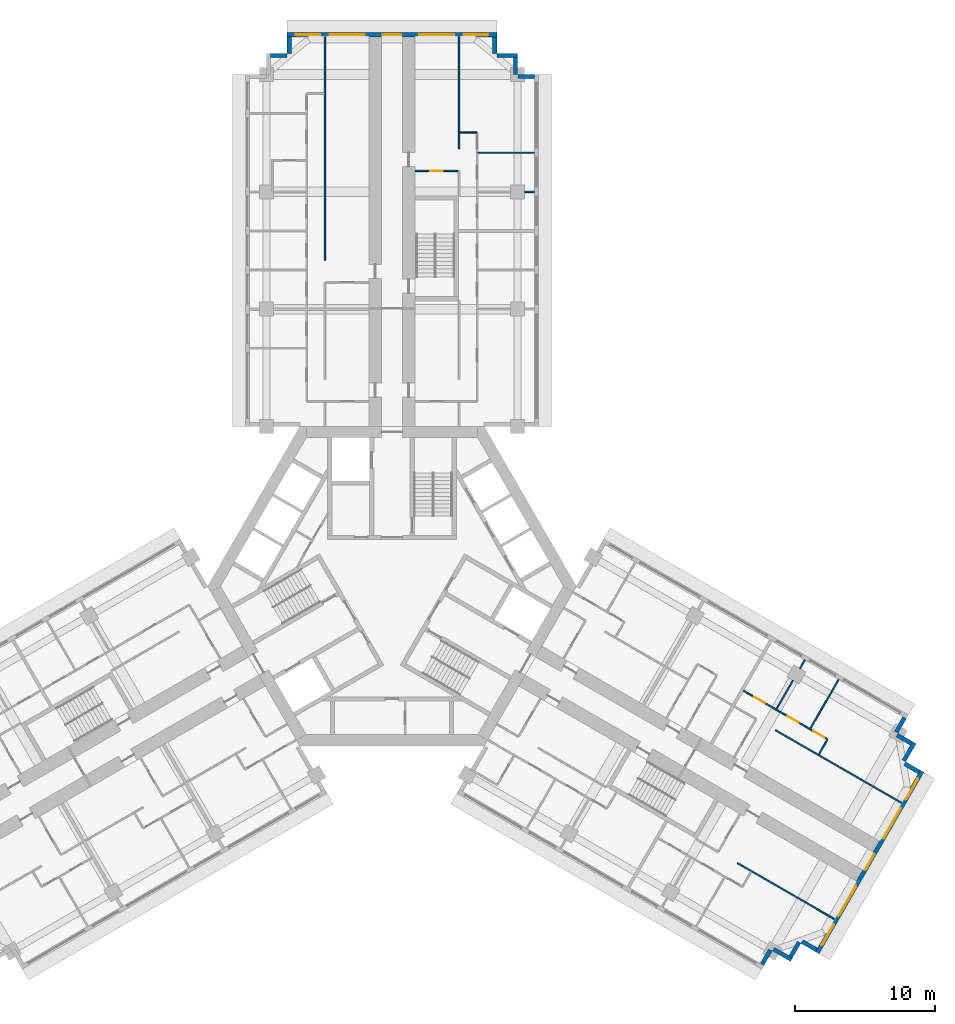
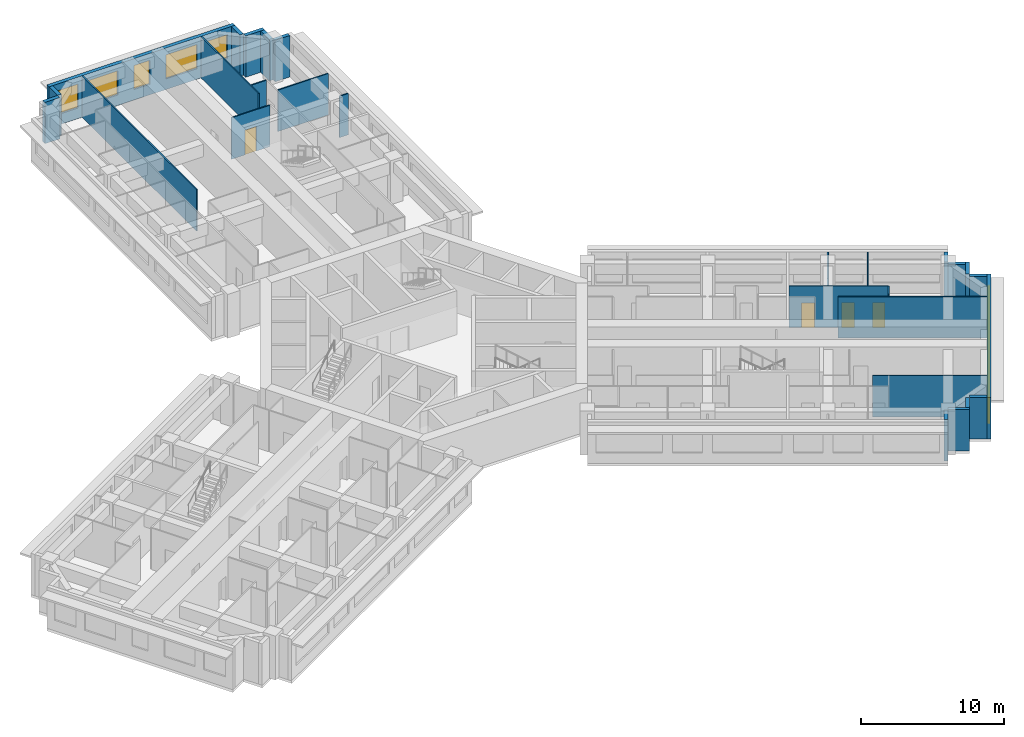
# One storey, part 10 of 12: 29 walls, 10 windows, 4 doors, 14 openings.
"""IFC4 building model written with IfcOpenShell, lengths in metres."""

import ifcopenshell
import ifcopenshell.guid

model = None  # the IFC model being written
_history = None  # IfcOwnerHistory: only IFC2X3 demands one
_inside = {}  # id of a spatial element -> (the spatial element, [elements in it])
_under = {}  # id of a project, library or spatial element -> (it, [spatial elements below it])
_declared = {}  # id of a project -> (the project, [libraries it declares])
_typed = {}  # id of a type object -> (the type object, [elements of that type])
_made_of = {}  # id of a material, layer set ... -> (it, [elements and type objects made of it])


def new_model(schema):
    """Start an empty IFC model of exactly this schema.

    Asked for "IFC4X3", IfcOpenShell would pick the latest addendum, in which some entities
    have other attributes; the version numbers below select the first issue.
    IFC2X3 requires an IfcOwnerHistory on every rooted entity: one is made here for all.
    """
    global model, _history
    if schema == "IFC4X3":
        model = ifcopenshell.file(schema_version=(4, 3, 0, 0))
    else:
        model = ifcopenshell.file(schema=schema)
    _inside.clear()
    _under.clear()
    _declared.clear()
    _typed.clear()
    _made_of.clear()
    _history = None
    if model.schema == "IFC2X3":
        org = make("IfcOrganization", Name="unknown")
        user = make(
            "IfcPersonAndOrganization",
            ThePerson=make("IfcPerson", FamilyName="unknown"),
            TheOrganization=org,
        )
        app = make(
            "IfcApplication",
            ApplicationDeveloper=org,
            Version="unknown",
            ApplicationFullName="unknown",
            ApplicationIdentifier="unknown",
        )
        _history = make(
            "IfcOwnerHistory",
            OwningUser=user,
            OwningApplication=app,
            ChangeAction="ADDED",
            CreationDate=0,
        )
    return model


def make(cls, **values):
    """One entity of the class cls with the attributes given. An attribute that is None is left unset."""
    return model.create_entity(
        cls, **{name: value for name, value in values.items() if value is not None}
    )


def rooted(cls, **values):
    """An entity with a GlobalId (a new one), such as an element, a storey or a relation."""
    return make(cls, GlobalId=ifcopenshell.guid.new(), OwnerHistory=_history, **values)


def si_unit(unit_type, name, prefix=None):
    """IfcSIUnit, for example si_unit("LENGTHUNIT", "METRE", prefix="MILLI")."""
    return make("IfcSIUnit", UnitType=unit_type, Prefix=prefix, Name=name)


def assignment(units):
    """IfcUnitAssignment: the units of a project."""
    return None if units is None else make("IfcUnitAssignment", Units=units)


def point(xyz):
    """IfcCartesianPoint."""
    return None if xyz is None else make("IfcCartesianPoint", Coordinates=xyz)


def direction(xyz):
    """IfcDirection."""
    return None if xyz is None else make("IfcDirection", DirectionRatios=xyz)


def frame(location, z_axis=None, x_axis=None):
    """IfcAxis2Placement3D, a coordinate frame: its origin and axes. An axis left out is left unset."""
    return make(
        "IfcAxis2Placement3D",
        Location=point(location),
        Axis=direction(z_axis),
        RefDirection=direction(x_axis),
    )


def frame_2d(location, x_axis=None):
    """IfcAxis2Placement2D, a coordinate frame in the plane: its origin and x axis."""
    return make(
        "IfcAxis2Placement2D", Location=point(location), RefDirection=direction(x_axis)
    )


def origin():
    """The frame at (0, 0, 0) with its axes left unset."""
    return frame((0.0, 0.0, 0.0))


def place(relative_to, where):
    """IfcLocalPlacement: puts the frame where relative to a parent placement (None: the world)."""
    return make(
        "IfcLocalPlacement", PlacementRelTo=relative_to, RelativePlacement=where
    )


def context(
    kind, dimensions, precision=None, world=None, true_north=None, identifier=None
):
    """IfcGeometricRepresentationContext, for example the 3D "Model" context."""
    return make(
        "IfcGeometricRepresentationContext",
        ContextIdentifier=identifier,
        ContextType=kind,
        CoordinateSpaceDimension=dimensions,
        Precision=precision,
        WorldCoordinateSystem=world,
        TrueNorth=true_north,
    )


def subcontext(parent, identifier, kind, view, scale=None):
    """IfcGeometricRepresentationSubContext, for example "Body" below "Model"."""
    return make(
        "IfcGeometricRepresentationSubContext",
        ContextIdentifier=identifier,
        ContextType=kind,
        ParentContext=parent,
        TargetScale=scale,
        TargetView=view,
    )


def project(units=None, contexts=None):
    """IfcProject with its units and contexts."""
    return rooted(
        "IfcProject",
        Name="project",
        RepresentationContexts=contexts,
        UnitsInContext=assignment(units),
    )


def spatial(cls, under=None, at=None, **own):
    """A site, building, storey or space (cls), placed at a placement, below another one or the project."""
    s = rooted(cls, ObjectPlacement=at, **own)
    if under is not None:
        _under.setdefault(under.id(), (under, []))[1].append(s)
    return s


def profile(cls, at=None, kind="AREA", **sizes):
    """A parametric profile (cls). Its sizes go by their IFC names, for example OverallWidth=200.0."""
    return make(cls, ProfileType=kind, Position=at, **sizes)


def rectangle(**sizes):
    """IfcRectangleProfileDef."""
    return profile("IfcRectangleProfileDef", **sizes)


def extrude(swept, where, along, depth):
    """IfcExtrudedAreaSolid: the profile swept, set in the frame where, extruded along a direction by depth."""
    return make(
        "IfcExtrudedAreaSolid",
        SweptArea=swept,
        Position=where,
        ExtrudedDirection=direction(along),
        Depth=depth,
    )


def shape(context_of_items, identifier, shape_type, items):
    """IfcShapeRepresentation: the items that make up one representation, for example the "Body"."""
    return make(
        "IfcShapeRepresentation",
        ContextOfItems=context_of_items,
        RepresentationIdentifier=identifier,
        RepresentationType=shape_type,
        Items=items,
    )


def material(Name=None, Category=None):
    """IfcMaterial."""
    return make("IfcMaterial", Name=Name, Category=Category)


def layer(
    of_material, thickness, ventilated=None, Name=None, Category=None, Priority=None
):
    """IfcMaterialLayer: one layer of a wall or slab, of a material (None: an air gap)."""
    return make(
        "IfcMaterialLayer",
        Material=of_material,
        LayerThickness=thickness,
        IsVentilated=ventilated,
        Name=Name,
        Category=Category,
        Priority=Priority,
    )


def layer_set(layers, Name=None):
    """IfcMaterialLayerSet."""
    return make("IfcMaterialLayerSet", MaterialLayers=layers, LayerSetName=Name)


def made_of(thing, what):
    """Note that an element or type object is made of a material, layer set ...; save() writes the relation."""
    if what is not None:
        _made_of.setdefault(what.id(), (what, []))[1].append(thing)
    return thing


def type_object(cls, material=None, **own):
    """A type object (cls), such as IfcWallType, which elements share."""
    return made_of(rooted(cls, **own), material)


def element(
    cls,
    number,
    at=None,
    inside=None,
    cuts=None,
    type_object=None,
    material=None,
    context=None,
    identifier="Body",
    shape_type=None,
    held_by="IfcProductDefinitionShape",
    body=None,
    shapes=None,
    **own,
):
    """One element of the class cls, such as IfcWall. Its Tag is "e" and its number.

    at: its placement. inside: the storey or other place that contains it. cuts: it is an
    opening in that element (IfcRelVoidsElement). A single representation is given by context,
    identifier, shape_type and body (its items); several are given by shapes. held_by: the class
    of the entity that holds the representations. save() writes the other relations.
    """
    e = rooted(cls, Tag="e%d" % number, ObjectPlacement=at, **own)
    if body is not None:
        shapes = [shape(context, identifier, shape_type, body)]
    if shapes is not None:
        e.Representation = make(held_by, Representations=shapes)
    if inside is not None:
        _inside.setdefault(inside.id(), (inside, []))[1].append(e)
    if cuts is not None:
        rooted(
            "IfcRelVoidsElement", RelatingBuildingElement=cuts, RelatedOpeningElement=e
        )
    if type_object is not None:
        _typed.setdefault(type_object.id(), (type_object, []))[1].append(e)
    return made_of(e, material)


def fill(opening, filler):
    """IfcRelFillsElement: the door or window that sits in an opening."""
    return rooted(
        "IfcRelFillsElement",
        RelatingOpeningElement=opening,
        RelatedBuildingElement=filler,
    )


def aggregate(whole, parts):
    """IfcRelAggregates: a whole, such as a stair, and the parts it consists of."""
    return rooted("IfcRelAggregates", RelatingObject=whole, RelatedObjects=parts)


def save(model, path):
    """Write the relations noted so far, then the file.

    IfcRelAggregates (storeys below a building ...), IfcRelContainedInSpatialStructure (elements
    in a storey), IfcRelDefinesByType, IfcRelAssociatesMaterial and IfcRelDeclares: one each for
    every whole, place, type object, material and project.
    """
    for whole, parts in _under.values():
        aggregate(whole, parts)
    for where, things in _inside.values():
        rooted(
            "IfcRelContainedInSpatialStructure",
            RelatedElements=things,
            RelatingStructure=where,
        )
    for kind, things in _typed.values():
        rooted("IfcRelDefinesByType", RelatedObjects=things, RelatingType=kind)
    for what, things in _made_of.values():
        rooted("IfcRelAssociatesMaterial", RelatedObjects=things, RelatingMaterial=what)
    for by, libraries in _declared.values():
        rooted("IfcRelDeclares", RelatingContext=by, RelatedDefinitions=libraries)
    model.write(path)


model = new_model("IFC4")

# Units and contexts
model_context = context("Model", 3, precision=1e-05, world=origin(), true_north=direction((0.0, 1.0)))
body_context = subcontext(model_context, "Body", "Model", "MODEL_VIEW")
ifc_project = project(units=[si_unit("LENGTHUNIT", "METRE"), si_unit("AREAUNIT", "SQUARE_METRE"), si_unit("VOLUMEUNIT", "CUBIC_METRE"), si_unit("PLANEANGLEUNIT", "RADIAN"), si_unit("MASSUNIT", "GRAM", prefix="KILO")], contexts=[model_context])

# Site, building, storey
site_placement = place(None, origin())
site = spatial("IfcSite", under=ifc_project, at=site_placement, CompositionType="ELEMENT")
building_placement = place(site_placement, origin())
building = spatial("IfcBuilding", under=site, at=building_placement, Name="Impinga Residences", CompositionType="ELEMENT")
storey_placement = place(building_placement, frame((0.0, 0.0, 173.5)))
storey = spatial("IfcBuildingStorey", under=building, at=storey_placement, Name="L43", CompositionType="ELEMENT", Elevation=173.5)

# Walls
ifc_material_1 = material(Name="Terracotta rainscreen on blockwork", Category="masonry")
ifc_layer_1 = layer(ifc_material_1, 0.300048828125)
ifc_layer_set_1 = layer_set([ifc_layer_1], Name="EW1 external wall, terracotta rainscreen on blockwork 300")
wall_type_1 = type_object("IfcWallType", Name="EW1 external wall, terracotta rainscreen on blockwork 300", PredefinedType="SOLIDWALL", material=ifc_layer_set_1)
wall_1_placement = place(storey_placement, frame((-8.699951171875, 37.9814453125, 0.0), z_axis=(0.0, 0.0, 1.0), x_axis=(1.0, 0.0, 0.0)))
element("IfcWall", 1, at=wall_1_placement, inside=storey, type_object=wall_type_1, Name="External wall EW1 L43", PredefinedType="SOLIDWALL", context=body_context, shape_type="SweptSolid", body=[
    extrude(rectangle(XDim=1.199951171875, YDim=0.300048828125, at=frame_2d((0.60009765625, 0.0))), origin(), (0.0, 0.0, 1.0), 3.530029296875),
])
wall_2_placement = place(storey_placement, frame((-7.35009765625, 38.136474609375, 0.0), z_axis=(0.0, 0.0, 1.0), x_axis=(0.0, 1.0, 0.0)))
element("IfcWall", 2, at=wall_2_placement, inside=storey, type_object=wall_type_1, Name="External wall EW1 L43", PredefinedType="SOLIDWALL", context=body_context, shape_type="SweptSolid", body=[
    extrude(rectangle(XDim=1.195068359375, YDim=0.300048828125, at=frame_2d((0.59765625, 0.0))), origin(), (0.0, 0.0, 1.0), 3.530029296875),
])

# Wall, openings, windows
wall_3_placement = place(storey_placement, frame((-7.5, 39.4814453125, 0.0), z_axis=(0.0, 0.0, 1.0), x_axis=(1.0, 0.0, 0.0)))
wall_3 = element("IfcWall", 3, at=wall_3_placement, inside=storey, type_object=wall_type_1, Name="External wall EW1 L43", PredefinedType="SOLIDWALL", context=body_context, shape_type="SweptSolid", body=[
    extrude(rectangle(XDim=15.0, YDim=0.300048828125, at=frame_2d((7.5, 0.0))), origin(), (0.0, 0.0, 1.0), 3.530029296875),
])
opening_1_placement = place(wall_3_placement, frame((0.60009765625, 0.0, 0.89990234375)))
opening_1 = element("IfcOpeningElement", 4, at=opening_1_placement, cuts=wall_3, Name="Opening W1", PredefinedType="OPENING", context=body_context, shape_type="SweptSolid", body=[
    extrude(rectangle(XDim=1.75, YDim=2.050048828125, at=frame_2d((0.875, 1.02490234375))), frame((0.0, 0.159912109375, 0.0), z_axis=(0.0, -1.0, 0.0), x_axis=(1.0, 0.0, 0.0)), (0.0, 0.0, 1.0), 0.320068359375),
])
opening_2_placement = place(wall_3_placement, frame((3.050048828125, 0.0, 0.89990234375)))
opening_2 = element("IfcOpeningElement", 5, at=opening_2_placement, cuts=wall_3, Name="Opening W2", PredefinedType="OPENING", context=body_context, shape_type="SweptSolid", body=[
    extrude(rectangle(XDim=2.5, YDim=2.050048828125, at=frame_2d((1.25, 1.02490234375))), frame((0.0, 0.159912109375, 0.0), z_axis=(0.0, -1.0, 0.0), x_axis=(1.0, 0.0, 0.0)), (0.0, 0.0, 1.0), 0.320068359375),
])
opening_3_placement = place(wall_3_placement, frame((6.85009765625, 0.0, 0.89990234375)))
opening_3 = element("IfcOpeningElement", 6, at=opening_3_placement, cuts=wall_3, Name="Opening WE1", PredefinedType="OPENING", context=body_context, shape_type="SweptSolid", body=[
    extrude(rectangle(XDim=1.300048828125, YDim=2.050048828125, at=frame_2d((0.64990234375, 1.02490234375))), frame((0.0, 0.159912109375, 0.0), z_axis=(0.0, -1.0, 0.0), x_axis=(1.0, 0.0, 0.0)), (0.0, 0.0, 1.0), 0.320068359375),
])
opening_4_placement = place(wall_3_placement, frame((9.449951171875, 0.0, 0.89990234375)))
opening_4 = element("IfcOpeningElement", 7, at=opening_4_placement, cuts=wall_3, Name="Opening W2", PredefinedType="OPENING", context=body_context, shape_type="SweptSolid", body=[
    extrude(rectangle(XDim=2.5, YDim=2.050048828125, at=frame_2d((1.25, 1.02490234375))), frame((0.0, 0.159912109375, 0.0), z_axis=(0.0, -1.0, 0.0), x_axis=(1.0, 0.0, 0.0)), (0.0, 0.0, 1.0), 0.320068359375),
])
opening_5_placement = place(wall_3_placement, frame((12.64990234375, 0.0, 0.89990234375)))
opening_5 = element("IfcOpeningElement", 8, at=opening_5_placement, cuts=wall_3, Name="Opening W1", PredefinedType="OPENING", context=body_context, shape_type="SweptSolid", body=[
    extrude(rectangle(XDim=1.75, YDim=2.050048828125, at=frame_2d((0.875, 1.02490234375))), frame((0.0, 0.159912109375, 0.0), z_axis=(0.0, -1.0, 0.0), x_axis=(1.0, 0.0, 0.0)), (0.0, 0.0, 1.0), 0.320068359375),
])
ifc_material_2 = material(Name="Aluminium window, clear double glazing", Category="aluminium")
window_type_1 = type_object("IfcWindowType", Name="W1 ribbon window 1750x2050", PartitioningType="SINGLE_PANEL", PredefinedType="WINDOW", material=ifc_material_2)
window_1_placement = place(opening_1_placement, origin())
window_1 = element("IfcWindow", 9, at=window_1_placement, inside=storey, type_object=window_type_1, Name="Window L43", OverallHeight=2.050048828125, OverallWidth=1.75, PartitioningType="SINGLE_PANEL", PredefinedType="WINDOW", context=body_context, shape_type="SweptSolid", body=[
    extrude(rectangle(XDim=1.75, YDim=2.050048828125, at=frame_2d((0.875, 1.02490234375))), frame((0.0, 0.030029296875, 0.0), z_axis=(0.0, -1.0, 0.0), x_axis=(1.0, 0.0, 0.0)), (0.0, 0.0, 1.0), 0.06005859375),
])
fill(opening_1, window_1)
window_2_placement = place(opening_5_placement, origin())
window_2 = element("IfcWindow", 10, at=window_2_placement, inside=storey, type_object=window_type_1, Name="Window L43", OverallHeight=2.050048828125, OverallWidth=1.75, PartitioningType="SINGLE_PANEL", PredefinedType="WINDOW", context=body_context, shape_type="SweptSolid", body=[
    extrude(rectangle(XDim=1.75, YDim=2.050048828125, at=frame_2d((0.875, 1.02490234375))), frame((0.0, 0.030029296875, 0.0), z_axis=(0.0, -1.0, 0.0), x_axis=(1.0, 0.0, 0.0)), (0.0, 0.0, 1.0), 0.06005859375),
])
fill(opening_5, window_2)
window_type_2 = type_object("IfcWindowType", Name="W2 ribbon window 2500x2050", PartitioningType="SINGLE_PANEL", PredefinedType="WINDOW", material=ifc_material_2)
window_3_placement = place(opening_2_placement, origin())
window_3 = element("IfcWindow", 11, at=window_3_placement, inside=storey, type_object=window_type_2, Name="Window L43", OverallHeight=2.050048828125, OverallWidth=2.5, PartitioningType="SINGLE_PANEL", PredefinedType="WINDOW", context=body_context, shape_type="SweptSolid", body=[
    extrude(rectangle(XDim=2.5, YDim=2.050048828125, at=frame_2d((1.25, 1.02490234375))), frame((0.0, 0.030029296875, 0.0), z_axis=(0.0, -1.0, 0.0), x_axis=(1.0, 0.0, 0.0)), (0.0, 0.0, 1.0), 0.06005859375),
])
fill(opening_2, window_3)
window_4_placement = place(opening_4_placement, origin())
window_4 = element("IfcWindow", 12, at=window_4_placement, inside=storey, type_object=window_type_2, Name="Window L43", OverallHeight=2.050048828125, OverallWidth=2.5, PartitioningType="SINGLE_PANEL", PredefinedType="WINDOW", context=body_context, shape_type="SweptSolid", body=[
    extrude(rectangle(XDim=2.5, YDim=2.050048828125, at=frame_2d((1.25, 1.02490234375))), frame((0.0, 0.030029296875, 0.0), z_axis=(0.0, -1.0, 0.0), x_axis=(1.0, 0.0, 0.0)), (0.0, 0.0, 1.0), 0.06005859375),
])
fill(opening_4, window_4)
window_type_3 = type_object("IfcWindowType", Name="WE1 corridor window 1300x2050", PartitioningType="SINGLE_PANEL", PredefinedType="WINDOW", material=ifc_material_2)
window_5_placement = place(opening_3_placement, origin())
window_5 = element("IfcWindow", 13, at=window_5_placement, inside=storey, type_object=window_type_3, Name="Window L43", OverallHeight=2.050048828125, OverallWidth=1.300048828125, PartitioningType="SINGLE_PANEL", PredefinedType="WINDOW", context=body_context, shape_type="SweptSolid", body=[
    extrude(rectangle(XDim=1.300048828125, YDim=2.050048828125, at=frame_2d((0.64990234375, 1.02490234375))), frame((0.0, 0.030029296875, 0.0), z_axis=(0.0, -1.0, 0.0), x_axis=(1.0, 0.0, 0.0)), (0.0, 0.0, 1.0), 0.06005859375),
])
fill(opening_3, window_5)

# Walls
wall_4_placement = place(storey_placement, frame((7.35009765625, 39.33154296875, 0.0), z_axis=(0.0, 0.0, 1.0), x_axis=(0.0, -1.0, 0.0)))
element("IfcWall", 14, at=wall_4_placement, inside=storey, type_object=wall_type_1, Name="External wall EW1 L43", PredefinedType="SOLIDWALL", context=body_context, shape_type="SweptSolid", body=[
    extrude(rectangle(XDim=1.195068359375, YDim=0.300048828125, at=frame_2d((0.59765625, 0.0))), origin(), (0.0, 0.0, 1.0), 3.530029296875),
])
wall_5_placement = place(storey_placement, frame((7.5, 37.9814453125, 0.0), z_axis=(0.0, 0.0, 1.0), x_axis=(1.0, 0.0, 0.0)))
element("IfcWall", 15, at=wall_5_placement, inside=storey, type_object=wall_type_1, Name="External wall EW1 L43", PredefinedType="SOLIDWALL", context=body_context, shape_type="SweptSolid", body=[
    extrude(rectangle(XDim=1.5, YDim=0.300048828125, at=frame_2d((0.75, 0.0))), origin(), (0.0, 0.0, 1.0), 3.530029296875),
])
wall_6_placement = place(storey_placement, frame((8.85009765625, 37.83154296875, 0.0), z_axis=(0.0, 0.0, 1.0), x_axis=(0.0, -1.0, 0.0)))
element("IfcWall", 16, at=wall_6_placement, inside=storey, type_object=wall_type_1, Name="External wall EW1 L43", PredefinedType="SOLIDWALL", context=body_context, shape_type="SweptSolid", body=[
    extrude(rectangle(XDim=1.199951171875, YDim=0.300048828125, at=frame_2d((0.60009765625, 0.0))), origin(), (0.0, 0.0, 1.0), 3.530029296875),
])
wall_7_placement = place(storey_placement, frame((9.0048828125, 36.4814453125, 0.0), z_axis=(0.0, 0.0, 1.0), x_axis=(1.0, 0.0, 0.0)))
element("IfcWall", 17, at=wall_7_placement, inside=storey, type_object=wall_type_1, Name="External wall EW1 L43", PredefinedType="SOLIDWALL", context=body_context, shape_type="SweptSolid", body=[
    extrude(rectangle(XDim=1.195068359375, YDim=0.300048828125, at=frame_2d((0.59765625, 0.0))), origin(), (0.0, 0.0, 1.0), 3.530029296875),
])
wall_8_placement = place(storey_placement, frame((36.69384765625, -9.4072265625, 0.0), z_axis=(0.0, 0.0, 1.0), x_axis=(-0.499880961361, -0.866094119867, 0.0)))
element("IfcWall", 18, at=wall_8_placement, inside=storey, type_object=wall_type_1, Name="External wall EW1 L43", PredefinedType="SOLIDWALL", context=body_context, shape_type="SweptSolid", body=[
    extrude(rectangle(XDim=1.199951171875, YDim=0.300048828125, at=frame_2d((0.60009765625, 0.0))), origin(), (0.0, 0.0, 1.0), 3.530029296875),
])
wall_9_placement = place(storey_placement, frame((36.153076171875, -10.654052734375, 0.0), z_axis=(0.0, 0.0, 1.0), x_axis=(0.866059708757, -0.499940577336, 0.0)))
element("IfcWall", 19, at=wall_9_placement, inside=storey, type_object=wall_type_1, Name="External wall EW1 L43", PredefinedType="SOLIDWALL", context=body_context, shape_type="SweptSolid", body=[
    extrude(rectangle(XDim=1.195068359375, YDim=0.300048828125, at=frame_2d((0.59765625, 0.0))), origin(), (0.0, 0.0, 1.0), 3.530029296875),
])
wall_10_placement = place(storey_placement, frame((37.39306640625, -11.196533203125, 0.0), z_axis=(0.0, 0.0, 1.0), x_axis=(-0.499990139034, -0.866031096941, 0.0)))
element("IfcWall", 20, at=wall_10_placement, inside=storey, type_object=wall_type_1, Name="External wall EW1 L43", PredefinedType="SOLIDWALL", context=body_context, shape_type="SweptSolid", body=[
    extrude(rectangle(XDim=1.5, YDim=0.300048828125, at=frame_2d((0.75, 0.0))), origin(), (0.0, 0.0, 1.0), 3.530029296875),
])
wall_11_placement = place(storey_placement, frame((36.7021484375, -12.702880859375, 0.0), z_axis=(0.0, 0.0, 1.0), x_axis=(0.865971243484, -0.500093796661, 0.0)))
element("IfcWall", 21, at=wall_11_placement, inside=storey, type_object=wall_type_1, Name="External wall EW1 L43", PredefinedType="SOLIDWALL", context=body_context, shape_type="SweptSolid", body=[
    extrude(rectangle(XDim=1.195068359375, YDim=0.300048828125, at=frame_2d((0.59765625, 0.0))), origin(), (0.0, 0.0, 1.0), 3.530029296875),
])

# Wall, openings, windows
wall_12_placement = place(storey_placement, frame((37.94189453125, -13.24560546875, 0.0), z_axis=(0.0, 0.0, 1.0), x_axis=(-0.500004234368, -0.866022959057, 0.0)))
wall_12 = element("IfcWall", 22, at=wall_12_placement, inside=storey, type_object=wall_type_1, Name="External wall EW1 L43", PredefinedType="SOLIDWALL", context=body_context, shape_type="SweptSolid", body=[
    extrude(rectangle(XDim=14.999755859375, YDim=0.300048828125, at=frame_2d((7.5, 0.0))), origin(), (0.0, 0.0, 1.0), 3.530029296875),
])
opening_6_placement = place(wall_12_placement, frame((0.60009765625, 0.0, 0.89990234375)))
opening_6 = element("IfcOpeningElement", 23, at=opening_6_placement, cuts=wall_12, Name="Opening W1", PredefinedType="OPENING", context=body_context, shape_type="SweptSolid", body=[
    extrude(rectangle(XDim=1.75, YDim=2.050048828125, at=frame_2d((0.875, 1.02490234375))), frame((0.0, 0.159912109375, 0.0), z_axis=(0.0, -1.0, 0.0), x_axis=(1.0, 0.0, 0.0)), (0.0, 0.0, 1.0), 0.320068359375),
])
opening_7_placement = place(wall_12_placement, frame((3.050048828125, 0.0, 0.89990234375)))
opening_7 = element("IfcOpeningElement", 24, at=opening_7_placement, cuts=wall_12, Name="Opening W2", PredefinedType="OPENING", context=body_context, shape_type="SweptSolid", body=[
    extrude(rectangle(XDim=2.5, YDim=2.050048828125, at=frame_2d((1.25, 1.02490234375))), frame((0.0, 0.159912109375, 0.0), z_axis=(0.0, -1.0, 0.0), x_axis=(1.0, 0.0, 0.0)), (0.0, 0.0, 1.0), 0.320068359375),
])
opening_8_placement = place(wall_12_placement, frame((6.85009765625, 0.0, 0.89990234375)))
opening_8 = element("IfcOpeningElement", 25, at=opening_8_placement, cuts=wall_12, Name="Opening W17", PredefinedType="OPENING", context=body_context, shape_type="SweptSolid", body=[
    extrude(rectangle(XDim=1.300048828125, YDim=2.050048828125, at=frame_2d((0.64990234375, 1.02490234375))), frame((0.0, 0.159912109375, 0.0), z_axis=(0.0, -1.0, 0.0), x_axis=(1.0, 0.0, 0.0)), (0.0, 0.0, 1.0), 0.320068359375),
])
opening_9_placement = place(wall_12_placement, frame((9.449951171875, 0.0, 0.89990234375)))
opening_9 = element("IfcOpeningElement", 26, at=opening_9_placement, cuts=wall_12, Name="Opening W2", PredefinedType="OPENING", context=body_context, shape_type="SweptSolid", body=[
    extrude(rectangle(XDim=2.5, YDim=2.050048828125, at=frame_2d((1.25, 1.02490234375))), frame((0.0, 0.159912109375, 0.0), z_axis=(0.0, -1.0, 0.0), x_axis=(1.0, 0.0, 0.0)), (0.0, 0.0, 1.0), 0.320068359375),
])
opening_10_placement = place(wall_12_placement, frame((12.64990234375, 0.0, 0.89990234375)))
opening_10 = element("IfcOpeningElement", 27, at=opening_10_placement, cuts=wall_12, Name="Opening W1", PredefinedType="OPENING", context=body_context, shape_type="SweptSolid", body=[
    extrude(rectangle(XDim=1.75, YDim=2.050048828125, at=frame_2d((0.875, 1.02490234375))), frame((0.0, 0.159912109375, 0.0), z_axis=(0.0, -1.0, 0.0), x_axis=(1.0, 0.0, 0.0)), (0.0, 0.0, 1.0), 0.320068359375),
])
window_6_placement = place(opening_6_placement, origin())
window_6 = element("IfcWindow", 28, at=window_6_placement, inside=storey, type_object=window_type_1, Name="Window L43", OverallHeight=2.050048828125, OverallWidth=1.75, PartitioningType="SINGLE_PANEL", PredefinedType="WINDOW", context=body_context, shape_type="SweptSolid", body=[
    extrude(rectangle(XDim=1.75, YDim=2.050048828125, at=frame_2d((0.875, 1.02490234375))), frame((0.0, 0.030029296875, 0.0), z_axis=(0.0, -1.0, 0.0), x_axis=(1.0, 0.0, 0.0)), (0.0, 0.0, 1.0), 0.06005859375),
])
fill(opening_6, window_6)
window_7_placement = place(opening_10_placement, origin())
window_7 = element("IfcWindow", 29, at=window_7_placement, inside=storey, type_object=window_type_1, Name="Window L43", OverallHeight=2.050048828125, OverallWidth=1.75, PartitioningType="SINGLE_PANEL", PredefinedType="WINDOW", context=body_context, shape_type="SweptSolid", body=[
    extrude(rectangle(XDim=1.75, YDim=2.050048828125, at=frame_2d((0.875, 1.02490234375))), frame((0.0, 0.030029296875, 0.0), z_axis=(0.0, -1.0, 0.0), x_axis=(1.0, 0.0, 0.0)), (0.0, 0.0, 1.0), 0.06005859375),
])
fill(opening_10, window_7)
window_type_4 = type_object("IfcWindowType", Name="W17 ribbon window 1300x2050", PartitioningType="SINGLE_PANEL", PredefinedType="WINDOW", material=ifc_material_2)
window_8_placement = place(opening_8_placement, origin())
window_8 = element("IfcWindow", 30, at=window_8_placement, inside=storey, type_object=window_type_4, Name="Window L43", OverallHeight=2.050048828125, OverallWidth=1.300048828125, PartitioningType="SINGLE_PANEL", PredefinedType="WINDOW", context=body_context, shape_type="SweptSolid", body=[
    extrude(rectangle(XDim=1.300048828125, YDim=2.050048828125, at=frame_2d((0.64990234375, 1.02490234375))), frame((0.0, 0.030029296875, 0.0), z_axis=(0.0, -1.0, 0.0), x_axis=(1.0, 0.0, 0.0)), (0.0, 0.0, 1.0), 0.06005859375),
])
fill(opening_8, window_8)
window_9_placement = place(opening_7_placement, origin())
window_9 = element("IfcWindow", 31, at=window_9_placement, inside=storey, type_object=window_type_2, Name="Window L43", OverallHeight=2.050048828125, OverallWidth=2.5, PartitioningType="SINGLE_PANEL", PredefinedType="WINDOW", context=body_context, shape_type="SweptSolid", body=[
    extrude(rectangle(XDim=2.5, YDim=2.050048828125, at=frame_2d((1.25, 1.02490234375))), frame((0.0, 0.030029296875, 0.0), z_axis=(0.0, -1.0, 0.0), x_axis=(1.0, 0.0, 0.0)), (0.0, 0.0, 1.0), 0.06005859375),
])
fill(opening_7, window_9)
window_10_placement = place(opening_9_placement, origin())
window_10 = element("IfcWindow", 32, at=window_10_placement, inside=storey, type_object=window_type_2, Name="Window L43", OverallHeight=2.050048828125, OverallWidth=2.5, PartitioningType="SINGLE_PANEL", PredefinedType="WINDOW", context=body_context, shape_type="SweptSolid", body=[
    extrude(rectangle(XDim=2.5, YDim=2.050048828125, at=frame_2d((1.25, 1.02490234375))), frame((0.0, 0.030029296875, 0.0), z_axis=(0.0, -1.0, 0.0), x_axis=(1.0, 0.0, 0.0)), (0.0, 0.0, 1.0), 0.06005859375),
])
fill(opening_9, window_10)

# Walls
wall_13_placement = place(storey_placement, frame((30.38720703125, -26.031005859375, 0.0), z_axis=(0.0, 0.0, 1.0), x_axis=(-0.866059708757, 0.499940577336, 0.0)))
element("IfcWall", 33, at=wall_13_placement, inside=storey, type_object=wall_type_1, Name="External wall EW1 L43", PredefinedType="SOLIDWALL", context=body_context, shape_type="SweptSolid", body=[
    extrude(rectangle(XDim=1.195068359375, YDim=0.300048828125, at=frame_2d((0.59765625, 0.0))), origin(), (0.0, 0.0, 1.0), 3.530029296875),
])
wall_14_placement = place(storey_placement, frame((29.14306640625, -25.48583984375, 0.0), z_axis=(0.0, 0.0, 1.0), x_axis=(-0.500033551112, -0.866006032174, 0.0)))
element("IfcWall", 34, at=wall_14_placement, inside=storey, type_object=wall_type_1, Name="External wall EW1 L43", PredefinedType="SOLIDWALL", context=body_context, shape_type="SweptSolid", body=[
    extrude(rectangle(XDim=1.2001953125, YDim=0.300048828125, at=frame_2d((0.60009765625, 0.0))), origin(), (0.0, 0.0, 1.0), 3.530029296875),
])
wall_15_placement = place(storey_placement, frame((28.597900390625, -26.72998046875, 0.0), z_axis=(0.0, 0.0, 1.0), x_axis=(-0.866031096941, 0.499990139034, 0.0)))
element("IfcWall", 35, at=wall_15_placement, inside=storey, type_object=wall_type_1, Name="External wall EW1 L43", PredefinedType="SOLIDWALL", context=body_context, shape_type="SweptSolid", body=[
    extrude(rectangle(XDim=1.5, YDim=0.300048828125, at=frame_2d((0.75, 0.0))), origin(), (0.0, 0.0, 1.0), 3.530029296875),
])
wall_16_placement = place(storey_placement, frame((27.091552734375, -26.039306640625, 0.0), z_axis=(0.0, 0.0, 1.0), x_axis=(-0.500093796661, -0.865971243484, 0.0)))
element("IfcWall", 36, at=wall_16_placement, inside=storey, type_object=wall_type_1, Name="External wall EW1 L43", PredefinedType="SOLIDWALL", context=body_context, shape_type="SweptSolid", body=[
    extrude(rectangle(XDim=1.195068359375, YDim=0.300048828125, at=frame_2d((0.59765625, 0.0))), origin(), (0.0, 0.0, 1.0), 3.530029296875),
])
ifc_material_3 = material(Name="Gypsum board on steel studs", Category="steel")
ifc_layer_2 = layer(ifc_material_3, 0.10009765625)
ifc_layer_set_2 = layer_set([ifc_layer_2], Name="Gypsum board on steel studs")
wall_type_2 = type_object("IfcWallType", Name="IP1 partition 100", PredefinedType="PARTITIONING", material=ifc_layer_set_2)
wall_17_placement = place(storey_placement, frame((-4.800048828125, 23.33154296875, 0.0), z_axis=(0.0, 0.0, 1.0), x_axis=(0.0, 1.0, 0.0)))
element("IfcWall", 37, at=wall_17_placement, inside=storey, type_object=wall_type_2, Name="Partition L43-NA2:DIV1", PredefinedType="PARTITIONING", context=body_context, shape_type="SweptSolid", body=[
    extrude(rectangle(XDim=16.0, YDim=0.10009765625, at=frame_2d((8.0, 0.0))), origin(), (0.0, 0.0, 1.0), 3.530029296875),
])
wall_18_placement = place(storey_placement, frame((4.800048828125, 31.33154296875, 0.0), z_axis=(0.0, 0.0, 1.0), x_axis=(0.0, 1.0, 0.0)))
element("IfcWall", 38, at=wall_18_placement, inside=storey, type_object=wall_type_2, Name="Partition L43-NF2:DIV1", PredefinedType="PARTITIONING", context=body_context, shape_type="SweptSolid", body=[
    extrude(rectangle(XDim=8.0, YDim=0.10009765625, at=frame_2d((4.0, 0.0))), origin(), (0.0, 0.0, 1.0), 3.530029296875),
])
wall_19_placement = place(storey_placement, frame((4.85009765625, 32.4814453125, 0.0), z_axis=(0.0, 0.0, 1.0), x_axis=(1.0, 0.0, 0.0)))
element("IfcWall", 39, at=wall_19_placement, inside=storey, type_object=wall_type_2, Name="Partition L43-NF2:SE1", PredefinedType="PARTITIONING", context=body_context, shape_type="SweptSolid", body=[
    extrude(rectangle(XDim=1.199951171875, YDim=0.10009765625, at=frame_2d((0.60009765625, 0.0))), origin(), (0.0, 0.0, 1.0), 3.530029296875),
])

# Wall, opening, door
wall_20_placement = place(storey_placement, frame((1.64990234375, 29.7314453125, 0.0), z_axis=(0.0, 0.0, 1.0), x_axis=(1.0, 0.0, 0.0)))
wall_20 = element("IfcWall", 40, at=wall_20_placement, inside=storey, type_object=wall_type_2, Name="Partition L43-NF2:IB1", PredefinedType="PARTITIONING", context=body_context, shape_type="SweptSolid", body=[
    extrude(rectangle(XDim=3.10009765625, YDim=0.10009765625, at=frame_2d((1.550048828125, 0.0))), origin(), (0.0, 0.0, 1.0), 3.530029296875),
])
opening_11_placement = place(wall_20_placement, frame((1.10009765625, 0.0, 0.0)))
opening_11 = element("IfcOpeningElement", 41, at=opening_11_placement, cuts=wall_20, Name="Opening D2", PredefinedType="OPENING", context=body_context, shape_type="SweptSolid", body=[
    extrude(rectangle(XDim=0.89990234375, YDim=2.10009765625, at=frame_2d((0.449951171875, 1.050048828125))), frame((0.0, 0.06005859375, 0.0), z_axis=(0.0, -1.0, 0.0), x_axis=(1.0, 0.0, 0.0)), (0.0, 0.0, 1.0), 0.1201171875),
])
ifc_material_4 = material(Name="Timber door set", Category="wood")
door_type = type_object("IfcDoorType", Name="D2 internal door 900x2100", OperationType="SINGLE_SWING_LEFT", PredefinedType="DOOR", material=ifc_material_4)
door_1_placement = place(opening_11_placement, origin())
door_1 = element("IfcDoor", 42, at=door_1_placement, inside=storey, type_object=door_type, Name="Apartment L43-NF2 bathroom door", OperationType="SINGLE_SWING_LEFT", OverallHeight=2.10009765625, OverallWidth=0.89990234375, PredefinedType="DOOR", context=body_context, shape_type="SweptSolid", body=[
    extrude(rectangle(XDim=0.89990234375, YDim=2.10009765625, at=frame_2d((0.449951171875, 1.050048828125))), frame((0.0, 0.02490234375, 0.0), z_axis=(0.0, -1.0, 0.0), x_axis=(1.0, 0.0, 0.0)), (0.0, 0.0, 1.0), 0.050048828125),
])
fill(opening_11, door_1)

# Walls
wall_21_placement = place(storey_placement, frame((9.5, 28.2314453125, 0.0), z_axis=(0.0, 0.0, 1.0), x_axis=(1.0, 0.0, 0.0)))
element("IfcWall", 43, at=wall_21_placement, inside=storey, type_object=wall_type_2, Name="Partition L43-NF2:OB1b", PredefinedType="PARTITIONING", context=body_context, shape_type="SweptSolid", body=[
    extrude(rectangle(XDim=0.699951171875, YDim=0.10009765625, at=frame_2d((0.35009765625, 0.0))), origin(), (0.0, 0.0, 1.0), 3.530029296875),
])
wall_22_placement = place(storey_placement, frame((6.14990234375, 31.031494140625, 0.0), z_axis=(0.0, 0.0, 1.0), x_axis=(1.0, 0.0, 0.0)))
element("IfcWall", 44, at=wall_22_placement, inside=storey, type_object=wall_type_2, Name="Partition L43-NF2:OB2", PredefinedType="PARTITIONING", context=body_context, shape_type="SweptSolid", body=[
    extrude(rectangle(XDim=4.050048828125, YDim=0.10009765625, at=frame_2d((2.02490234375, 0.0))), origin(), (0.0, 0.0, 1.0), 3.530029296875),
])
wall_23_placement = place(storey_placement, frame((27.45556640625, -10.308837890625, 0.0), z_axis=(0.0, 0.0, 1.0), x_axis=(0.866025696342, -0.499999493275, 0.0)))
element("IfcWall", 45, at=wall_23_placement, inside=storey, type_object=wall_type_2, Name="Partition L43-EA3:DIV1", PredefinedType="PARTITIONING", context=body_context, shape_type="SweptSolid", body=[
    extrude(rectangle(XDim=10.39990234375, YDim=0.10009765625, at=frame_2d((5.199951171875, 0.0))), origin(), (0.0, 0.0, 1.0), 3.530029296875),
])

# Wall, openings, doors
wall_24_placement = place(storey_placement, frame((25.160888671875, -7.48291015625, 0.0), z_axis=(0.0, 0.0, 1.0), x_axis=(0.866025305473, -0.500000170281, 0.0)))
wall_24 = element("IfcWall", 46, at=wall_24_placement, inside=storey, type_object=wall_type_2, Name="Partition L43-EA3:STRIP", PredefinedType="PARTITIONING", context=body_context, shape_type="SweptSolid", body=[
    extrude(rectangle(XDim=6.9501953125, YDim=0.10009765625, at=frame_2d((3.47509765625, 0.0))), origin(), (0.0, 0.0, 1.0), 3.530029296875),
])
opening_12_placement = place(wall_24_placement, frame((0.875, 0.0, 0.0)))
opening_12 = element("IfcOpeningElement", 47, at=opening_12_placement, cuts=wall_24, Name="Opening D2", PredefinedType="OPENING", context=body_context, shape_type="SweptSolid", body=[
    extrude(rectangle(XDim=0.89990234375, YDim=2.10009765625, at=frame_2d((0.449951171875, 1.050048828125))), frame((0.0, 0.06005859375, 0.0), z_axis=(0.0, -1.0, 0.0), x_axis=(1.0, 0.0, 0.0)), (0.0, 0.0, 1.0), 0.1201171875),
])
opening_13_placement = place(wall_24_placement, frame((3.64990234375, 0.0, 0.0)))
opening_13 = element("IfcOpeningElement", 48, at=opening_13_placement, cuts=wall_24, Name="Opening D2", PredefinedType="OPENING", context=body_context, shape_type="SweptSolid", body=[
    extrude(rectangle(XDim=0.89990234375, YDim=2.10009765625, at=frame_2d((0.449951171875, 1.050048828125))), frame((0.0, 0.06005859375, 0.0), z_axis=(0.0, -1.0, 0.0), x_axis=(1.0, 0.0, 0.0)), (0.0, 0.0, 1.0), 0.1201171875),
])
opening_14_placement = place(wall_24_placement, frame((5.800048828125, 0.0, 0.0)))
opening_14 = element("IfcOpeningElement", 49, at=opening_14_placement, cuts=wall_24, Name="Opening D2", PredefinedType="OPENING", context=body_context, shape_type="SweptSolid", body=[
    extrude(rectangle(XDim=0.89990234375, YDim=2.10009765625, at=frame_2d((0.449951171875, 1.050048828125))), frame((0.0, 0.06005859375, 0.0), z_axis=(0.0, -1.0, 0.0), x_axis=(1.0, 0.0, 0.0)), (0.0, 0.0, 1.0), 0.1201171875),
])
door_2_placement = place(opening_12_placement, origin())
door_2 = element("IfcDoor", 50, at=door_2_placement, inside=storey, type_object=door_type, Name="Apartment L43-EA3 room door", OperationType="SINGLE_SWING_LEFT", OverallHeight=2.10009765625, OverallWidth=0.89990234375, PredefinedType="DOOR", context=body_context, shape_type="SweptSolid", body=[
    extrude(rectangle(XDim=0.89990234375, YDim=2.10009765625, at=frame_2d((0.449951171875, 1.050048828125))), frame((0.0, 0.02490234375, 0.0), z_axis=(0.0, -1.0, 0.0), x_axis=(1.0, 0.0, 0.0)), (0.0, 0.0, 1.0), 0.050048828125),
])
fill(opening_12, door_2)
door_3_placement = place(opening_13_placement, origin())
door_3 = element("IfcDoor", 51, at=door_3_placement, inside=storey, type_object=door_type, Name="Apartment L43-EA3 room door", OperationType="SINGLE_SWING_RIGHT", OverallHeight=2.10009765625, OverallWidth=0.89990234375, PredefinedType="DOOR", context=body_context, shape_type="SweptSolid", body=[
    extrude(rectangle(XDim=0.89990234375, YDim=2.10009765625, at=frame_2d((0.449951171875, 1.050048828125))), frame((0.0, 0.02490234375, 0.0), z_axis=(0.0, -1.0, 0.0), x_axis=(1.0, 0.0, 0.0)), (0.0, 0.0, 1.0), 0.050048828125),
])
fill(opening_13, door_3)
door_4_placement = place(opening_14_placement, origin())
door_4 = element("IfcDoor", 52, at=door_4_placement, inside=storey, type_object=door_type, Name="Apartment L43-EA3 room door", OperationType="SINGLE_SWING_RIGHT", OverallHeight=2.10009765625, OverallWidth=0.89990234375, PredefinedType="DOOR", context=body_context, shape_type="SweptSolid", body=[
    extrude(rectangle(XDim=0.89990234375, YDim=2.10009765625, at=frame_2d((0.449951171875, 1.050048828125))), frame((0.0, 0.02490234375, 0.0), z_axis=(0.0, -1.0, 0.0), x_axis=(1.0, 0.0, 0.0)), (0.0, 0.0, 1.0), 0.050048828125),
])
fill(opening_14, door_4)

# Walls
wall_25_placement = place(storey_placement, frame((30.554931640625, -12.04052734375, 0.0), z_axis=(0.0, 0.0, 1.0), x_axis=(0.499880961361, 0.866094119867, 0.0)))
element("IfcWall", 53, at=wall_25_placement, inside=storey, type_object=wall_type_2, Name="Partition L43-EA3:SE1", PredefinedType="PARTITIONING", context=body_context, shape_type="SweptSolid", body=[
    extrude(rectangle(XDim=1.199951171875, YDim=0.10009765625, at=frame_2d((0.60009765625, 0.0))), origin(), (0.0, 0.0, 1.0), 3.530029296875),
])
wall_26_placement = place(storey_placement, frame((27.524169921875, -8.789794921875, 0.0), z_axis=(0.0, 0.0, 1.0), x_axis=(0.500016218704, 0.866016039709, 0.0)))
element("IfcWall", 54, at=wall_26_placement, inside=storey, type_object=wall_type_2, Name="Partition L43-EA3:OB1", PredefinedType="PARTITIONING", context=body_context, shape_type="SweptSolid", body=[
    extrude(rectangle(XDim=2.35009765625, YDim=0.10009765625, at=frame_2d((1.175048828125, 0.0))), origin(), (0.0, 0.0, 1.0), 2.47998046875),
])
wall_27_placement = place(storey_placement, frame((29.19921875, -5.888427734375, 0.0), z_axis=(0.0, 0.0, 1.0), x_axis=(0.500114896893, 0.865959057869, 0.0)))
element("IfcWall", 55, at=wall_27_placement, inside=storey, type_object=wall_type_2, Name="Partition L43-EA3:OB1b", PredefinedType="PARTITIONING", context=body_context, shape_type="SweptSolid", body=[
    extrude(rectangle(XDim=0.699951171875, YDim=0.10009765625, at=frame_2d((0.35009765625, 0.0))), origin(), (0.0, 0.0, 1.0), 3.530029296875),
])
wall_28_placement = place(storey_placement, frame((29.94921875, -10.189697265625, 0.0), z_axis=(0.0, 0.0, 1.0), x_axis=(0.499990325971, 0.866030989016, 0.0)))
element("IfcWall", 56, at=wall_28_placement, inside=storey, type_object=wall_type_2, Name="Partition L43-EA3:OB2", PredefinedType="PARTITIONING", context=body_context, shape_type="SweptSolid", body=[
    extrude(rectangle(XDim=4.0498046875, YDim=0.10009765625, at=frame_2d((2.02490234375, 0.0))), origin(), (0.0, 0.0, 1.0), 3.530029296875),
])
wall_29_placement = place(storey_placement, frame((24.73388671875, -19.82275390625, 0.0), z_axis=(0.0, 0.0, 1.0), x_axis=(0.866026010844, -0.49999894854, 0.0)))
element("IfcWall", 57, at=wall_29_placement, inside=storey, type_object=wall_type_2, Name="Partition L43-EF2:DIV1", PredefinedType="PARTITIONING", context=body_context, shape_type="SweptSolid", body=[
    extrude(rectangle(XDim=8.0, YDim=0.10009765625, at=frame_2d((4.0, 0.0))), origin(), (0.0, 0.0, 1.0), 3.530029296875),
])

save(model, "model.ifc")
